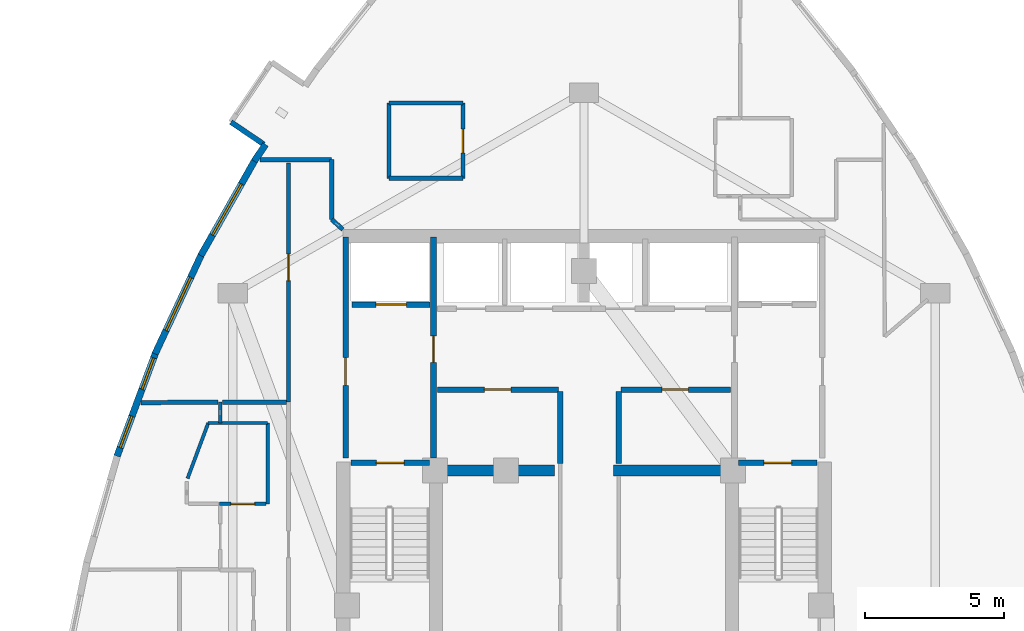
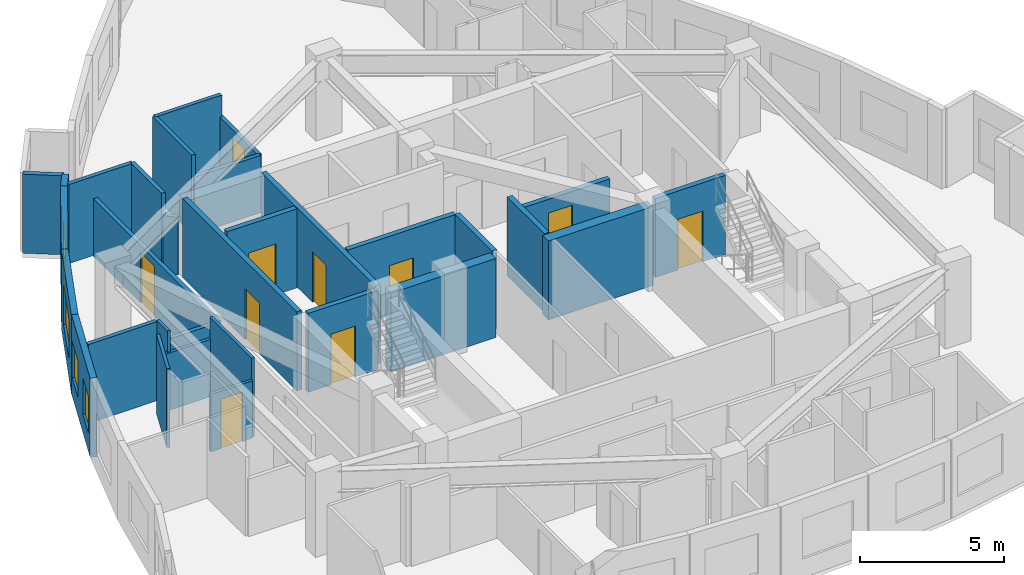
# One storey, part 9 of 13: 31 walls, 10 doors, 4 windows, 14 openings.
"""IFC4 building model written with IfcOpenShell, lengths in metres."""

from ifc_helpers import new_model, si_unit, direction, frame, frame_2d, origin, place, context, subcontext, project, spatial, rectangle, extrude, material, layer, layer_set, type_object, element, fill, save


model = new_model("IFC4")

# Units and contexts
model_context = context("Model", 3, precision=1e-05, world=origin(), true_north=direction((0.0, 1.0)))
body_context = subcontext(model_context, "Body", "Model", "MODEL_VIEW")
ifc_project = project(units=[si_unit("LENGTHUNIT", "METRE"), si_unit("AREAUNIT", "SQUARE_METRE"), si_unit("VOLUMEUNIT", "CUBIC_METRE"), si_unit("PLANEANGLEUNIT", "RADIAN"), si_unit("MASSUNIT", "GRAM", prefix="KILO")], contexts=[model_context])

# Site, building, storey
site_placement = place(None, origin())
site = spatial("IfcSite", under=ifc_project, at=site_placement, CompositionType="ELEMENT")
building_placement = place(site_placement, origin())
building = spatial("IfcBuilding", under=site, at=building_placement, Name="Miruveldt Soraemaru", CompositionType="ELEMENT")
storey_placement = place(building_placement, frame((0.0, 0.0, 201.60009765625)))
storey = spatial("IfcBuildingStorey", under=building, at=storey_placement, Name="L55", CompositionType="ELEMENT", Elevation=201.60009765625)

# Walls
ifc_material_1 = material(Name="White powder-coated aluminium EN AW-6060 T6", Category="aluminium")
ifc_layer_1 = layer(ifc_material_1, 0.18994140625, Name="White powder-coated aluminium EN AW-6060 T6", Category="aluminium")
ifc_layer_set_1 = layer_set([ifc_layer_1], Name="White powder-coated aluminium EN AW-6060 T6")
wall_type_1 = type_object("IfcWallType", Name="WALL-BAY-ALU190", PredefinedType="SOLIDWALL", material=ifc_layer_set_1)
wall_1_placement = place(storey_placement, frame((31.33349609375, 56.547119140625, 0.0), z_axis=(0.0, 0.0, 1.0), x_axis=(0.827862228344, -0.560931485016, 0.0)))
element("IfcWall", 1, at=wall_1_placement, inside=storey, type_object=wall_type_1, Name="L55 Bay Window Side Cheek 1R", PredefinedType="SOLIDWALL", context=body_context, shape_type="SweptSolid", body=[
    extrude(rectangle(XDim=1.425048828125, YDim=0.18994140625, at=frame_2d((0.71240234375, 0.0))), origin(), (0.0, 0.0, 1.0), 3.344970703125),
])
ifc_material_2 = material(Name="Concrete C70/85 (70 MPa)", Category="concrete")
ifc_layer_2 = layer(ifc_material_2, 0.5, Name="Concrete C70/85 (70 MPa)", Category="concrete")
ifc_layer_set_2 = layer_set([ifc_layer_2], Name="Concrete C70/85 (70 MPa)")
wall_type_2 = type_object("IfcWallType", Name="WALL-BW-500", PredefinedType="SHEAR", material=ifc_layer_set_2)
for number, where, z_axis, x_axis, name in (
    (2, (38.75, 44.050048828125, 0.0), (0.0, 0.0, 1.0), (1.0, 0.0, 0.0), "L55 Core Buttress Shear Wall BW"),
    (3, (45.050048828125, 44.050048828125, 0.0), (0.0, 0.0, 1.0), (1.0, 0.0, 0.0), "L55 Core Buttress Shear Wall BE"),
):
    element("IfcWall", number, at=place(storey_placement, frame(where, z_axis=z_axis, x_axis=x_axis)), inside=storey, type_object=wall_type_2, Name=name, PredefinedType="SHEAR", context=body_context, shape_type="SweptSolid", body=[
        extrude(rectangle(XDim=4.199951171875, YDim=0.39990234375, at=frame_2d((2.10009765625, 0.0))), origin(), (0.0, 0.0, 1.0), 3.344970703125),
    ])
ifc_material_3 = material(Name="Precast concrete C45/55 (45 MPa)", Category="concrete")
ifc_layer_3 = layer(ifc_material_3, 0.239990234375, Name="Precast concrete C45/55 (45 MPa)", Category="concrete")
ifc_layer_set_3 = layer_set([ifc_layer_3], Name="Precast concrete C45/55 (45 MPa)")
wall_type_3 = type_object("IfcWallType", Name="WALL-EXT-PC240", PredefinedType="SOLIDWALL", material=ifc_layer_set_3)
wall_2_placement = place(storey_placement, frame((32.575439453125, 55.74169921875, 0.0), z_axis=(0.0, 0.0, 1.0), x_axis=(-0.560765978718, -0.827974345685, 0.0)))
element("IfcWall", 4, at=wall_2_placement, inside=storey, type_object=wall_type_3, Name="L55 Precast Pier Wall 9B", PredefinedType="SOLIDWALL", context=body_context, shape_type="SweptSolid", body=[
    extrude(rectangle(XDim=0.72265625, YDim=0.239990234375, at=frame_2d((0.361328125, 0.0))), origin(), (0.0, 0.0, 1.0), 3.344970703125),
])

# Wall, opening, window
wall_3_placement = place(storey_placement, frame((32.20703125, 55.20263671875, 0.0), z_axis=(0.0, 0.0, 1.0), x_axis=(-0.493374910117, -0.869816761202, 0.0)))
wall_3 = element("IfcWall", 5, at=wall_3_placement, inside=storey, type_object=wall_type_3, Name="L55 Precast Concrete Facade Wall 10", PredefinedType="SOLIDWALL", context=body_context, shape_type="SweptSolid", body=[
    extrude(rectangle(XDim=3.960693359375, YDim=0.239990234375, at=frame_2d((1.98046875, 0.0))), origin(), (0.0, 0.0, 1.0), 3.344970703125),
])
opening_1_placement = place(wall_3_placement, frame((1.010986328125, 0.0, 0.800048828125)))
opening_1 = element("IfcOpeningElement", 6, at=opening_1_placement, cuts=wall_3, Name="Opening WN-1", PredefinedType="OPENING", context=body_context, shape_type="SweptSolid", body=[
    extrude(rectangle(XDim=2.10009765625, YDim=1.699951171875, at=frame_2d((1.050048828125, 0.85009765625))), frame((0.0, 0.1298828125, 0.0), z_axis=(0.0, -1.0, 0.0), x_axis=(1.0, 0.0, 0.0)), (0.0, 0.0, 1.0), 0.260009765625),
])
ifc_material_4 = material(Name="Triple low-e insulated glazing", Category="glass")
window_type_1 = type_object("IfcWindowType", Name="WIN-PUNCH-2100x1700", PartitioningType="SINGLE_PANEL", PredefinedType="WINDOW", material=ifc_material_4)
window_1_placement = place(opening_1_placement, origin())
window_1 = element("IfcWindow", 7, at=window_1_placement, inside=storey, type_object=window_type_1, Name="L55 Punched Triple-Glazed Window 10.1", OverallHeight=1.699951171875, OverallWidth=2.10009765625, PartitioningType="SINGLE_PANEL", PredefinedType="WINDOW", context=body_context, shape_type="SweptSolid", body=[
    extrude(rectangle(XDim=2.10009765625, YDim=1.699951171875, at=frame_2d((1.050048828125, 0.85009765625))), frame((0.0, 0.030029296875, 0.0), z_axis=(0.0, -1.0, 0.0), x_axis=(1.0, 0.0, 0.0)), (0.0, 0.0, 1.0), 0.06005859375),
])
fill(opening_1, window_1)

wall_4_placement = place(storey_placement, frame((30.28515625, 51.819580078125, 0.0), z_axis=(0.0, 0.0, 1.0), x_axis=(-0.422311701836, -0.906450675157, 0.0)))
wall_4 = element("IfcWall", 8, at=wall_4_placement, inside=storey, type_object=wall_type_3, Name="L55 Precast Concrete Facade Wall 11", PredefinedType="SOLIDWALL", context=body_context, shape_type="SweptSolid", body=[
    extrude(rectangle(XDim=3.960693359375, YDim=0.239990234375, at=frame_2d((1.98046875, 0.0))), origin(), (0.0, 0.0, 1.0), 3.344970703125),
])
opening_2_placement = place(wall_4_placement, frame((0.930908203125, 0.0, 0.800048828125)))
opening_2 = element("IfcOpeningElement", 9, at=opening_2_placement, cuts=wall_4, Name="Opening WN-1", PredefinedType="OPENING", context=body_context, shape_type="SweptSolid", body=[
    extrude(rectangle(XDim=2.10009765625, YDim=1.699951171875, at=frame_2d((1.050048828125, 0.85009765625))), frame((0.0, 0.1298828125, 0.0), z_axis=(0.0, -1.0, 0.0), x_axis=(1.0, 0.0, 0.0)), (0.0, 0.0, 1.0), 0.260009765625),
])
window_2_placement = place(opening_2_placement, origin())
window_2 = element("IfcWindow", 10, at=window_2_placement, inside=storey, type_object=window_type_1, Name="L55 Punched Triple-Glazed Window 11.1", OverallHeight=1.699951171875, OverallWidth=2.10009765625, PartitioningType="SINGLE_PANEL", PredefinedType="WINDOW", context=body_context, shape_type="SweptSolid", body=[
    extrude(rectangle(XDim=2.10009765625, YDim=1.699951171875, at=frame_2d((1.050048828125, 0.85009765625))), frame((0.0, 0.030029296875, 0.0), z_axis=(0.0, -1.0, 0.0), x_axis=(1.0, 0.0, 0.0)), (0.0, 0.0, 1.0), 0.06005859375),
])
fill(opening_2, window_2)

# Wall, openings, windows
wall_5_placement = place(storey_placement, frame((28.639404296875, 48.294189453125, 0.0), z_axis=(0.0, 0.0, 1.0), x_axis=(-0.348967690972, -0.937134755869, 0.0)))
wall_5 = element("IfcWall", 11, at=wall_5_placement, inside=storey, type_object=wall_type_3, Name="L55 Precast Concrete Facade Wall 12", PredefinedType="SOLIDWALL", context=body_context, shape_type="SweptSolid", body=[
    extrude(rectangle(XDim=3.985595703125, YDim=0.239990234375, at=frame_2d((1.99267578125, 0.0))), origin(), (0.0, 0.0, 1.0), 3.344970703125),
])
opening_3_placement = place(wall_5_placement, frame((0.222900390625, 0.0, 0.780029296875)))
opening_3 = element("IfcOpeningElement", 12, at=opening_3_placement, cuts=wall_5, Name="Opening WN-4", PredefinedType="OPENING", context=body_context, shape_type="SweptSolid", body=[
    extrude(rectangle(XDim=1.199951171875, YDim=1.550048828125, at=frame_2d((0.60009765625, 0.77490234375))), frame((0.0, 0.1298828125, 0.0), z_axis=(0.0, -1.0, 0.0), x_axis=(1.0, 0.0, 0.0)), (0.0, 0.0, 1.0), 0.260009765625),
])
opening_4_placement = place(wall_5_placement, frame((2.4560546875, 0.0, 0.780029296875)))
opening_4 = element("IfcOpeningElement", 13, at=opening_4_placement, cuts=wall_5, Name="Opening WN-4", PredefinedType="OPENING", context=body_context, shape_type="SweptSolid", body=[
    extrude(rectangle(XDim=1.199951171875, YDim=1.550048828125, at=frame_2d((0.60009765625, 0.77490234375))), frame((0.0, 0.1298828125, 0.0), z_axis=(0.0, -1.0, 0.0), x_axis=(1.0, 0.0, 0.0)), (0.0, 0.0, 1.0), 0.260009765625),
])
window_type_2 = type_object("IfcWindowType", Name="WIN-PUNCH-1200x1550", PartitioningType="SINGLE_PANEL", PredefinedType="WINDOW", material=ifc_material_4)
window_3_placement = place(opening_3_placement, origin())
window_3 = element("IfcWindow", 14, at=window_3_placement, inside=storey, type_object=window_type_2, Name="L55 Punched Triple-Glazed Window 12.1", OverallHeight=1.550048828125, OverallWidth=1.199951171875, PartitioningType="SINGLE_PANEL", PredefinedType="WINDOW", context=body_context, shape_type="SweptSolid", body=[
    extrude(rectangle(XDim=1.199951171875, YDim=1.550048828125, at=frame_2d((0.60009765625, 0.77490234375))), frame((0.0, 0.030029296875, 0.0), z_axis=(0.0, -1.0, 0.0), x_axis=(1.0, 0.0, 0.0)), (0.0, 0.0, 1.0), 0.06005859375),
])
fill(opening_3, window_3)
window_4_placement = place(opening_4_placement, origin())
window_4 = element("IfcWindow", 15, at=window_4_placement, inside=storey, type_object=window_type_2, Name="L55 Punched Triple-Glazed Window 12.2", OverallHeight=1.550048828125, OverallWidth=1.199951171875, PartitioningType="SINGLE_PANEL", PredefinedType="WINDOW", context=body_context, shape_type="SweptSolid", body=[
    extrude(rectangle(XDim=1.199951171875, YDim=1.550048828125, at=frame_2d((0.60009765625, 0.77490234375))), frame((0.0, 0.030029296875, 0.0), z_axis=(0.0, -1.0, 0.0), x_axis=(1.0, 0.0, 0.0)), (0.0, 0.0, 1.0), 0.06005859375),
])
fill(opening_4, window_4)

# Wall, opening, door
ifc_material_5 = material(Name="Gypsum plasterboard lining", Category="gypsum")
ifc_layer_4 = layer(ifc_material_5, 0.1201171875, Name="Gypsum plasterboard lining", Category="gypsum")
ifc_layer_set_4 = layer_set([ifc_layer_4], Name="Gypsum plasterboard lining")
wall_type_4 = type_object("IfcWallType", Name="WALL-INT-P120", PredefinedType="PARTITIONING", material=ifc_layer_set_4)
wall_6_placement = place(storey_placement, frame((32.590087890625, 42.85009765625, 0.0), z_axis=(0.0, 0.0, 1.0), x_axis=(-1.0, 0.0, 0.0)))
wall_6 = element("IfcWall", 16, at=wall_6_placement, inside=storey, type_object=wall_type_4, Name="L55 Partition Wall 36", PredefinedType="PARTITIONING", context=body_context, shape_type="SweptSolid", body=[
    extrude(rectangle(XDim=1.670166015625, YDim=0.1201171875, at=frame_2d((0.8349609375, 0.0))), origin(), (0.0, 0.0, 1.0), 2.432861328125),
])
opening_5_placement = place(wall_6_placement, frame((0.405029296875, 0.0, 0.0)))
opening_5 = element("IfcOpeningElement", 17, at=opening_5_placement, cuts=wall_6, Name="Opening FD3", PredefinedType="OPENING", context=body_context, shape_type="SweptSolid", body=[
    extrude(rectangle(XDim=0.85009765625, YDim=2.10009765625, at=frame_2d((0.425048828125, 1.050048828125))), frame((0.0, 0.070068359375, 0.0), z_axis=(0.0, -1.0, 0.0), x_axis=(1.0, 0.0, 0.0)), (0.0, 0.0, 1.0), 0.14013671875),
])
ifc_material_6 = material(Name="Anodised aluminium EN AW-6063 T6", Category="aluminium")
door_type_1 = type_object("IfcDoorType", Name="DOOR-FD3-850", OperationType="NOTDEFINED", PredefinedType="DOOR", material=ifc_material_6)
door_1_placement = place(opening_5_placement, origin())
door_1 = element("IfcDoor", 18, at=door_1_placement, inside=storey, type_object=door_type_1, Name="L55 Unit 5503 KIT Door", OperationType="SINGLE_SWING_RIGHT", OverallHeight=2.10009765625, OverallWidth=0.85009765625, PredefinedType="DOOR", context=body_context, shape_type="SweptSolid", body=[
    extrude(rectangle(XDim=0.85009765625, YDim=2.10009765625, at=frame_2d((0.425048828125, 1.050048828125))), frame((0.0, 0.02490234375, 0.0), z_axis=(0.0, -1.0, 0.0), x_axis=(1.0, 0.0, 0.0)), (0.0, 0.0, 1.0), 0.050048828125),
])
fill(opening_5, door_1)

# Walls
wall_7_placement = place(storey_placement, frame((32.64990234375, 45.75, 0.0), z_axis=(0.0, 0.0, 1.0), x_axis=(0.0, -1.0, 0.0)))
element("IfcWall", 19, at=wall_7_placement, inside=storey, type_object=wall_type_4, Name="L55 Partition Wall 37", PredefinedType="PARTITIONING", context=body_context, shape_type="SweptSolid", body=[
    extrude(rectangle(XDim=2.89990234375, YDim=0.1201171875, at=frame_2d((1.449951171875, 0.0))), origin(), (0.0, 0.0, 1.0), 3.344970703125),
])
wall_8_placement = place(storey_placement, frame((30.52001953125, 45.75, 0.0), z_axis=(0.0, 0.0, 1.0), x_axis=(1.0, 0.0, 0.0)))
element("IfcWall", 20, at=wall_8_placement, inside=storey, type_object=wall_type_4, Name="L55 Partition Wall 62", PredefinedType="PARTITIONING", context=body_context, shape_type="SweptSolid", body=[
    extrude(rectangle(XDim=2.1298828125, YDim=0.1201171875, at=frame_2d((1.06494140625, 0.0))), origin(), (0.0, 0.0, 1.0), 2.432861328125),
])
wall_9_placement = place(storey_placement, frame((30.52001953125, 45.75, 0.0), z_axis=(0.0, 0.0, 1.0), x_axis=(-0.3491407566, -0.937070291964, 0.0)))
element("IfcWall", 21, at=wall_9_placement, inside=storey, type_object=wall_type_4, Name="L55 Partition Wall 40", PredefinedType="PARTITIONING", context=body_context, shape_type="SweptSolid", body=[
    extrude(rectangle(XDim=2.119384765625, YDim=0.1201171875, at=frame_2d((1.0595703125, 0.0))), origin(), (0.0, 0.0, 1.0), 3.344970703125),
])
wall_10_placement = place(storey_placement, frame((30.949951171875, 46.5, 0.0), z_axis=(0.0, 0.0, 1.0), x_axis=(0.0, -1.0, 0.0)))
element("IfcWall", 22, at=wall_10_placement, inside=storey, type_object=wall_type_4, Name="L55 Partition Wall 38", PredefinedType="PARTITIONING", context=body_context, shape_type="SweptSolid", body=[
    extrude(rectangle(XDim=0.75, YDim=0.1201171875, at=frame_2d((0.375, 0.0))), origin(), (0.0, 0.0, 1.0), 3.344970703125),
])

# Wall, opening, door
ifc_layer_5 = layer(ifc_material_5, 0.14990234375, Name="Gypsum plasterboard lining", Category="gypsum")
ifc_layer_set_5 = layer_set([ifc_layer_5], Name="Gypsum plasterboard lining")
wall_type_5 = type_object("IfcWallType", Name="WALL-INT-PLUMB", PredefinedType="PLUMBINGWALL", material=ifc_layer_set_5)
wall_11_placement = place(storey_placement, frame((39.656982421875, 54.530029296875, 0.0), z_axis=(0.0, 0.0, 1.0), x_axis=(0.0, 1.0, 0.0)))
wall_11 = element("IfcWall", 23, at=wall_11_placement, inside=storey, type_object=wall_type_5, Name="L55 Partition Wall 12", PredefinedType="PLUMBINGWALL", context=body_context, shape_type="SweptSolid", body=[
    extrude(rectangle(XDim=2.699951171875, YDim=0.14990234375, at=frame_2d((1.35009765625, 0.0))), origin(), (0.0, 0.0, 1.0), 2.432861328125),
])
opening_6_placement = place(wall_11_placement, frame((0.909912109375, 0.0, 0.0)))
opening_6 = element("IfcOpeningElement", 24, at=opening_6_placement, cuts=wall_11, Name="Opening FD3", PredefinedType="OPENING", context=body_context, shape_type="SweptSolid", body=[
    extrude(rectangle(XDim=0.85009765625, YDim=2.10009765625, at=frame_2d((0.425048828125, 1.050048828125))), frame((0.0, 0.0849609375, 0.0), z_axis=(0.0, -1.0, 0.0), x_axis=(1.0, 0.0, 0.0)), (0.0, 0.0, 1.0), 0.169921875),
])
door_2_placement = place(opening_6_placement, origin())
door_2 = element("IfcDoor", 25, at=door_2_placement, inside=storey, type_object=door_type_1, Name="L55 Unit 5501 BTH Door", OperationType="SINGLE_SWING_RIGHT", OverallHeight=2.10009765625, OverallWidth=0.85009765625, PredefinedType="DOOR", context=body_context, shape_type="SweptSolid", body=[
    extrude(rectangle(XDim=0.85009765625, YDim=2.10009765625, at=frame_2d((0.425048828125, 1.050048828125))), frame((0.0, 0.02490234375, 0.0), z_axis=(0.0, -1.0, 0.0), x_axis=(1.0, 0.0, 0.0)), (0.0, 0.0, 1.0), 0.050048828125),
])
fill(opening_6, door_2)

# Walls
wall_12_placement = place(storey_placement, frame((37.007080078125, 57.22998046875, 0.0), z_axis=(0.0, 0.0, 1.0), x_axis=(0.0, -1.0, 0.0)))
element("IfcWall", 26, at=wall_12_placement, inside=storey, type_object=wall_type_5, Name="L55 Partition Wall 14", PredefinedType="PLUMBINGWALL", context=body_context, shape_type="SweptSolid", body=[
    extrude(rectangle(XDim=2.699951171875, YDim=0.14990234375, at=frame_2d((1.35009765625, 0.0))), origin(), (0.0, 0.0, 1.0), 3.344970703125),
])
wall_13_placement = place(storey_placement, frame((39.656982421875, 57.22998046875, 0.0), z_axis=(0.0, 0.0, 1.0), x_axis=(-1.0, 0.0, 0.0)))
element("IfcWall", 27, at=wall_13_placement, inside=storey, type_object=wall_type_5, Name="L55 Partition Wall 13", PredefinedType="PLUMBINGWALL", context=body_context, shape_type="SweptSolid", body=[
    extrude(rectangle(XDim=2.64990234375, YDim=0.14990234375, at=frame_2d((1.324951171875, 0.0))), origin(), (0.0, 0.0, 1.0), 3.344970703125),
])
wall_14_placement = place(storey_placement, frame((37.007080078125, 54.530029296875, 0.0), z_axis=(0.0, 0.0, 1.0), x_axis=(1.0, 0.0, 0.0)))
element("IfcWall", 28, at=wall_14_placement, inside=storey, type_object=wall_type_5, Name="L55 Partition Wall 15", PredefinedType="PLUMBINGWALL", context=body_context, shape_type="SweptSolid", body=[
    extrude(rectangle(XDim=2.64990234375, YDim=0.14990234375, at=frame_2d((1.324951171875, 0.0))), origin(), (0.0, 0.0, 1.0), 2.432861328125),
])

# Wall, opening, door
ifc_material_7 = material(Name="Concrete C40/50 (40 MPa)", Category="concrete")
ifc_layer_6 = layer(ifc_material_7, 0.159912109375, Name="Concrete C40/50 (40 MPa)", Category="concrete")
ifc_layer_set_6 = layer_set([ifc_layer_6], Name="Concrete C40/50 (40 MPa)")
wall_type_6 = type_object("IfcWallType", Name="WALL-INT-RC160", PredefinedType="SOLIDWALL", material=ifc_layer_set_6)
wall_15_placement = place(storey_placement, frame((33.39990234375, 55.080078125, 0.0), z_axis=(0.0, 0.0, 1.0), x_axis=(0.0, -1.0, 0.0)))
wall_15 = element("IfcWall", 29, at=wall_15_placement, inside=storey, type_object=wall_type_6, Name="L55 Partition Wall 3", PredefinedType="SOLIDWALL", context=body_context, shape_type="SweptSolid", body=[
    extrude(rectangle(XDim=8.5751953125, YDim=0.159912109375, at=frame_2d((4.28759765625, 0.0))), origin(), (0.0, 0.0, 1.0), 2.432861328125),
])
opening_7_placement = place(wall_15_placement, frame((3.27197265625, 0.0, 0.0)))
opening_7 = element("IfcOpeningElement", 30, at=opening_7_placement, cuts=wall_15, Name="Opening FD2", PredefinedType="OPENING", context=body_context, shape_type="SweptSolid", body=[
    extrude(rectangle(XDim=0.949951171875, YDim=2.14990234375, at=frame_2d((0.47509765625, 1.074951171875))), frame((0.0, 0.08984375, 0.0), z_axis=(0.0, -1.0, 0.0), x_axis=(1.0, 0.0, 0.0)), (0.0, 0.0, 1.0), 0.179931640625),
])
door_type_2 = type_object("IfcDoorType", Name="DOOR-FD2-950", OperationType="NOTDEFINED", PredefinedType="DOOR", material=ifc_material_6)
door_3_placement = place(opening_7_placement, origin())
door_3 = element("IfcDoor", 31, at=door_3_placement, inside=storey, type_object=door_type_2, Name="L55 Unit 5501 Entrance Fire Door", OperationType="SINGLE_SWING_LEFT", OverallHeight=2.14990234375, OverallWidth=0.949951171875, PredefinedType="DOOR", context=body_context, shape_type="SweptSolid", body=[
    extrude(rectangle(XDim=0.949951171875, YDim=2.14990234375, at=frame_2d((0.47509765625, 1.074951171875))), frame((0.0, 0.02490234375, 0.0), z_axis=(0.0, -1.0, 0.0), x_axis=(1.0, 0.0, 0.0)), (0.0, 0.0, 1.0), 0.050048828125),
])
fill(opening_7, door_3)

# Walls
wall_16_placement = place(storey_placement, frame((28.10791015625, 46.48095703125, 0.0), z_axis=(0.0, 0.0, 1.0), x_axis=(0.999978611163, 0.006540429311, 0.0)))
element("IfcWall", 32, at=wall_16_placement, inside=storey, type_object=wall_type_6, Name="L55 Partition Wall 22", PredefinedType="SOLIDWALL", context=body_context, shape_type="SweptSolid", body=[
    extrude(rectangle(XDim=2.76220703125, YDim=0.159912109375, at=frame_2d((1.381103515625, 0.0))), origin(), (0.0, 0.0, 1.0), 3.344970703125),
])
wall_17_placement = place(storey_placement, frame((34.949951171875, 55.199951171875, 0.0), z_axis=(0.0, 0.0, 1.0), x_axis=(-1.0, 0.0, 0.0)))
element("IfcWall", 33, at=wall_17_placement, inside=storey, type_object=wall_type_6, Name="L55 Partition Wall 2", PredefinedType="SOLIDWALL", context=body_context, shape_type="SweptSolid", body=[
    extrude(rectangle(XDim=2.577880859375, YDim=0.159912109375, at=frame_2d((1.2890625, 0.0))), origin(), (0.0, 0.0, 1.0), 3.344970703125),
])
wall_18_placement = place(storey_placement, frame((31.030029296875, 46.5, 0.0), z_axis=(0.0, 0.0, 1.0), x_axis=(1.0, 0.0, 0.0)))
element("IfcWall", 34, at=wall_18_placement, inside=storey, type_object=wall_type_6, Name="L55 Partition Wall 21", PredefinedType="SOLIDWALL", context=body_context, shape_type="SweptSolid", body=[
    extrude(rectangle(XDim=2.2900390625, YDim=0.159912109375, at=frame_2d((1.14501953125, 0.0))), origin(), (0.0, 0.0, 1.0), 2.432861328125),
])
wall_19_placement = place(storey_placement, frame((34.949951171875, 53.054931640625, 0.0), z_axis=(0.0, 0.0, 1.0), x_axis=(0.0, 1.0, 0.0)))
element("IfcWall", 35, at=wall_19_placement, inside=storey, type_object=wall_type_6, Name="L55 Partition Wall 1", PredefinedType="SOLIDWALL", context=body_context, shape_type="SweptSolid", body=[
    extrude(rectangle(XDim=2.14501953125, YDim=0.159912109375, at=frame_2d((1.072509765625, 0.0))), origin(), (0.0, 0.0, 1.0), 3.344970703125),
])
wall_20_placement = place(storey_placement, frame((34.949951171875, 53.054931640625, 0.0), z_axis=(0.0, 0.0, 1.0), x_axis=(0.738817210736, -0.673905875565, 0.0)))
element("IfcWall", 36, at=wall_20_placement, inside=storey, type_object=wall_type_6, Name="L55 Partition Closure Return 1", PredefinedType="SOLIDWALL", context=body_context, shape_type="SweptSolid", body=[
    extrude(rectangle(XDim=0.54150390625, YDim=0.159912109375, at=frame_2d((0.270751953125, 0.0))), origin(), (0.0, 0.0, 1.0), 2.432861328125),
])

# Wall, opening, door
ifc_layer_7 = layer(ifc_material_7, 0.199951171875, Name="Concrete C40/50 (40 MPa)", Category="concrete")
ifc_layer_set_7 = layer_set([ifc_layer_7], Name="Concrete C40/50 (40 MPa)")
wall_type_7 = type_object("IfcWallType", Name="WALL-INT-RC200", PredefinedType="SOLIDWALL", material=ifc_layer_set_7)
wall_21_placement = place(storey_placement, frame((35.449951171875, 44.5, 0.0), z_axis=(0.0, 0.0, 1.0), x_axis=(0.0, 1.0, 0.0)))
wall_21 = element("IfcWall", 37, at=wall_21_placement, inside=storey, type_object=wall_type_7, Name="L55 Core Compartment Wall FFW-OUT", PredefinedType="SOLIDWALL", context=body_context, shape_type="SweptSolid", body=[
    extrude(rectangle(XDim=7.919921875, YDim=0.199951171875, at=frame_2d((3.9599609375, 0.0))), origin(), (0.0, 0.0, 1.0), 3.344970703125),
])
opening_8_placement = place(wall_21_placement, frame((2.60009765625, 0.0, 0.0)))
opening_8 = element("IfcOpeningElement", 38, at=opening_8_placement, cuts=wall_21, Name="Opening FD1", PredefinedType="OPENING", context=body_context, shape_type="SweptSolid", body=[
    extrude(rectangle(XDim=1.0, YDim=2.14990234375, at=frame_2d((0.5, 1.074951171875))), frame((0.0, 0.10986328125, 0.0), z_axis=(0.0, -1.0, 0.0), x_axis=(1.0, 0.0, 0.0)), (0.0, 0.0, 1.0), 0.219970703125),
])
door_type_3 = type_object("IfcDoorType", Name="DOOR-FD1-1000", OperationType="NOTDEFINED", PredefinedType="DOOR", material=ifc_material_6)
door_4_placement = place(opening_8_placement, origin())
door_4 = element("IfcDoor", 39, at=door_4_placement, inside=storey, type_object=door_type_3, Name="L55 West Firefighting Lobby Exit Door", OperationType="SINGLE_SWING_LEFT", OverallHeight=2.14990234375, OverallWidth=1.0, PredefinedType="DOOR", context=body_context, shape_type="SweptSolid", body=[
    extrude(rectangle(XDim=1.0, YDim=2.14990234375, at=frame_2d((0.5, 1.074951171875))), frame((0.0, 0.02490234375, 0.0), z_axis=(0.0, -1.0, 0.0), x_axis=(1.0, 0.0, 0.0)), (0.0, 0.0, 1.0), 0.050048828125),
])
fill(opening_8, door_4)

wall_22_placement = place(storey_placement, frame((38.60009765625, 44.5, 0.0), z_axis=(0.0, 0.0, 1.0), x_axis=(0.0, 1.0, 0.0)))
wall_22 = element("IfcWall", 40, at=wall_22_placement, inside=storey, type_object=wall_type_7, Name="L55 Core Compartment Wall FFW-IN", PredefinedType="SOLIDWALL", context=body_context, shape_type="SweptSolid", body=[
    extrude(rectangle(XDim=7.919921875, YDim=0.199951171875, at=frame_2d((3.9599609375, 0.0))), origin(), (0.0, 0.0, 1.0), 3.344970703125),
])
opening_9_placement = place(wall_22_placement, frame((3.425048828125, 0.0, 0.0)))
opening_9 = element("IfcOpeningElement", 41, at=opening_9_placement, cuts=wall_22, Name="Opening FD2", PredefinedType="OPENING", context=body_context, shape_type="SweptSolid", body=[
    extrude(rectangle(XDim=0.949951171875, YDim=2.14990234375, at=frame_2d((0.47509765625, 1.074951171875))), frame((0.0, 0.10986328125, 0.0), z_axis=(0.0, -1.0, 0.0), x_axis=(1.0, 0.0, 0.0)), (0.0, 0.0, 1.0), 0.219970703125),
])
door_5_placement = place(opening_9_placement, frame((0.949951171875, 0.0, 0.0), z_axis=(0.0, 0.0, 1.0), x_axis=(-1.0, 0.0, 0.0)))
door_5 = element("IfcDoor", 42, at=door_5_placement, inside=storey, type_object=door_type_2, Name="L55 Lift Lobby to West Fire Lobby Door", OperationType="SINGLE_SWING_RIGHT", OverallHeight=2.14990234375, OverallWidth=0.949951171875, PredefinedType="DOOR", context=body_context, shape_type="SweptSolid", body=[
    extrude(rectangle(XDim=0.949951171875, YDim=2.14990234375, at=frame_2d((0.47509765625, 1.074951171875))), frame((0.0, 0.02490234375, 0.0), z_axis=(0.0, -1.0, 0.0), x_axis=(1.0, 0.0, 0.0)), (0.0, 0.0, 1.0), 0.050048828125),
])
fill(opening_9, door_5)

wall_23_placement = place(storey_placement, frame((38.75, 46.949951171875, 0.0), z_axis=(0.0, 0.0, 1.0), x_axis=(1.0, 0.0, 0.0)))
wall_23 = element("IfcWall", 43, at=wall_23_placement, inside=storey, type_object=wall_type_7, Name="L55 Core Compartment Wall MBW-N", PredefinedType="SOLIDWALL", context=body_context, shape_type="SweptSolid", body=[
    extrude(rectangle(XDim=4.330078125, YDim=0.199951171875, at=frame_2d((2.1650390625, 0.0))), origin(), (0.0, 0.0, 1.0), 3.344970703125),
])
opening_10_placement = place(wall_23_placement, frame((1.675048828125, 0.0, 0.0)))
opening_10 = element("IfcOpeningElement", 44, at=opening_10_placement, cuts=wall_23, Name="Opening D2", PredefinedType="OPENING", context=body_context, shape_type="SweptSolid", body=[
    extrude(rectangle(XDim=0.949951171875, YDim=2.10009765625, at=frame_2d((0.47509765625, 1.050048828125))), frame((0.0, 0.10986328125, 0.0), z_axis=(0.0, -1.0, 0.0), x_axis=(1.0, 0.0, 0.0)), (0.0, 0.0, 1.0), 0.219970703125),
])
door_type_4 = type_object("IfcDoorType", Name="DOOR-INT-950", OperationType="NOTDEFINED", PredefinedType="DOOR", material=ifc_material_6)
door_6_placement = place(opening_10_placement, origin())
door_6 = element("IfcDoor", 45, at=door_6_placement, inside=storey, type_object=door_type_4, Name="L55 Fire Door", OperationType="SINGLE_SWING_LEFT", OverallHeight=2.10009765625, OverallWidth=0.949951171875, PredefinedType="DOOR", context=body_context, shape_type="SweptSolid", body=[
    extrude(rectangle(XDim=0.949951171875, YDim=2.10009765625, at=frame_2d((0.47509765625, 1.050048828125))), frame((0.0, 0.02490234375, 0.0), z_axis=(0.0, -1.0, 0.0), x_axis=(1.0, 0.0, 0.0)), (0.0, 0.0, 1.0), 0.050048828125),
])
fill(opening_10, door_6)

wall_24_placement = place(storey_placement, frame((45.320068359375, 46.949951171875, 0.0), z_axis=(0.0, 0.0, 1.0), x_axis=(1.0, 0.0, 0.0)))
wall_24 = element("IfcWall", 46, at=wall_24_placement, inside=storey, type_object=wall_type_7, Name="L55 Core Compartment Wall MBE-N", PredefinedType="SOLIDWALL", context=body_context, shape_type="SweptSolid", body=[
    extrude(rectangle(XDim=3.929931640625, YDim=0.199951171875, at=frame_2d((1.96484375, 0.0))), origin(), (0.0, 0.0, 1.0), 2.682861328125),
])
opening_11_placement = place(wall_24_placement, frame((1.47509765625, 0.0, 0.0)))
opening_11 = element("IfcOpeningElement", 47, at=opening_11_placement, cuts=wall_24, Name="Opening D2", PredefinedType="OPENING", context=body_context, shape_type="SweptSolid", body=[
    extrude(rectangle(XDim=0.949951171875, YDim=2.10009765625, at=frame_2d((0.47509765625, 1.050048828125))), frame((0.0, 0.10986328125, 0.0), z_axis=(0.0, -1.0, 0.0), x_axis=(1.0, 0.0, 0.0)), (0.0, 0.0, 1.0), 0.219970703125),
])
door_7_placement = place(opening_11_placement, origin())
door_7 = element("IfcDoor", 48, at=door_7_placement, inside=storey, type_object=door_type_4, Name="L55 Fire Door", OperationType="SINGLE_SWING_LEFT", OverallHeight=2.10009765625, OverallWidth=0.949951171875, PredefinedType="DOOR", context=body_context, shape_type="SweptSolid", body=[
    extrude(rectangle(XDim=0.949951171875, YDim=2.10009765625, at=frame_2d((0.47509765625, 1.050048828125))), frame((0.0, 0.02490234375, 0.0), z_axis=(0.0, -1.0, 0.0), x_axis=(1.0, 0.0, 0.0)), (0.0, 0.0, 1.0), 0.050048828125),
])
fill(opening_11, door_7)

wall_25_placement = place(storey_placement, frame((35.64990234375, 44.320068359375, 0.0), z_axis=(0.0, 0.0, 1.0), x_axis=(1.0, 0.0, 0.0)))
wall_25 = element("IfcWall", 49, at=wall_25_placement, inside=storey, type_object=wall_type_7, Name="L55 Core Compartment Wall ST1-N", PredefinedType="SOLIDWALL", context=body_context, shape_type="SweptSolid", body=[
    extrude(rectangle(XDim=2.800048828125, YDim=0.199951171875, at=frame_2d((1.39990234375, 0.0))), origin(), (0.0, 0.0, 1.0), 3.344970703125),
])
opening_12_placement = place(wall_25_placement, frame((0.89990234375, 0.0, 0.0)))
opening_12 = element("IfcOpeningElement", 50, at=opening_12_placement, cuts=wall_25, Name="Opening FD1", PredefinedType="OPENING", context=body_context, shape_type="SweptSolid", body=[
    extrude(rectangle(XDim=1.0, YDim=2.14990234375, at=frame_2d((0.5, 1.074951171875))), frame((0.0, 0.10986328125, 0.0), z_axis=(0.0, -1.0, 0.0), x_axis=(1.0, 0.0, 0.0)), (0.0, 0.0, 1.0), 0.219970703125),
])
door_8_placement = place(opening_12_placement, frame((1.0, 0.0, 0.0), z_axis=(0.0, 0.0, 1.0), x_axis=(-1.0, 0.0, 0.0)))
door_8 = element("IfcDoor", 51, at=door_8_placement, inside=storey, type_object=door_type_3, Name="L55 Stair ST-1 Fire Door", OperationType="SINGLE_SWING_LEFT", OverallHeight=2.14990234375, OverallWidth=1.0, PredefinedType="DOOR", context=body_context, shape_type="SweptSolid", body=[
    extrude(rectangle(XDim=1.0, YDim=2.14990234375, at=frame_2d((0.5, 1.074951171875))), frame((0.0, 0.02490234375, 0.0), z_axis=(0.0, -1.0, 0.0), x_axis=(1.0, 0.0, 0.0)), (0.0, 0.0, 1.0), 0.050048828125),
])
fill(opening_12, door_8)

wall_26_placement = place(storey_placement, frame((49.550048828125, 44.320068359375, 0.0), z_axis=(0.0, 0.0, 1.0), x_axis=(1.0, 0.0, 0.0)))
wall_26 = element("IfcWall", 52, at=wall_26_placement, inside=storey, type_object=wall_type_7, Name="L55 Core Compartment Wall ST2-N", PredefinedType="SOLIDWALL", context=body_context, shape_type="SweptSolid", body=[
    extrude(rectangle(XDim=2.800048828125, YDim=0.199951171875, at=frame_2d((1.39990234375, 0.0))), origin(), (0.0, 0.0, 1.0), 3.344970703125),
])
opening_13_placement = place(wall_26_placement, frame((0.89990234375, 0.0, 0.0)))
opening_13 = element("IfcOpeningElement", 53, at=opening_13_placement, cuts=wall_26, Name="Opening FD1", PredefinedType="OPENING", context=body_context, shape_type="SweptSolid", body=[
    extrude(rectangle(XDim=1.0, YDim=2.14990234375, at=frame_2d((0.5, 1.074951171875))), frame((0.0, 0.10986328125, 0.0), z_axis=(0.0, -1.0, 0.0), x_axis=(1.0, 0.0, 0.0)), (0.0, 0.0, 1.0), 0.219970703125),
])
door_9_placement = place(opening_13_placement, frame((1.0, 0.0, 0.0), z_axis=(0.0, 0.0, 1.0), x_axis=(-1.0, 0.0, 0.0)))
door_9 = element("IfcDoor", 54, at=door_9_placement, inside=storey, type_object=door_type_3, Name="L55 Stair ST-2 Fire Door", OperationType="SINGLE_SWING_RIGHT", OverallHeight=2.14990234375, OverallWidth=1.0, PredefinedType="DOOR", context=body_context, shape_type="SweptSolid", body=[
    extrude(rectangle(XDim=1.0, YDim=2.14990234375, at=frame_2d((0.5, 1.074951171875))), frame((0.0, 0.02490234375, 0.0), z_axis=(0.0, -1.0, 0.0), x_axis=(1.0, 0.0, 0.0)), (0.0, 0.0, 1.0), 0.050048828125),
])
fill(opening_13, door_9)

wall_27_placement = place(storey_placement, frame((35.679931640625, 50.0, 0.0), z_axis=(0.0, 0.0, 1.0), x_axis=(1.0, 0.0, 0.0)))
wall_27 = element("IfcWall", 55, at=wall_27_placement, inside=storey, type_object=wall_type_7, Name="L55 Core Compartment Wall FFL1-S", PredefinedType="SOLIDWALL", context=body_context, shape_type="SweptSolid", body=[
    extrude(rectangle(XDim=2.800048828125, YDim=0.199951171875, at=frame_2d((1.39990234375, 0.0))), origin(), (0.0, 0.0, 1.0), 3.344970703125),
])
opening_14_placement = place(wall_27_placement, frame((0.85009765625, 0.0, 0.0)))
opening_14 = element("IfcOpeningElement", 56, at=opening_14_placement, cuts=wall_27, Name="Opening LD2", PredefinedType="OPENING", context=body_context, shape_type="SweptSolid", body=[
    extrude(rectangle(XDim=1.10009765625, YDim=2.14990234375, at=frame_2d((0.550048828125, 1.074951171875))), frame((0.0, 0.10986328125, 0.0), z_axis=(0.0, -1.0, 0.0), x_axis=(1.0, 0.0, 0.0)), (0.0, 0.0, 1.0), 0.219970703125),
])
door_type_5 = type_object("IfcDoorType", Name="DOOR-LD2-1100", OperationType="SLIDING_TO_LEFT", PredefinedType="DOOR", material=ifc_material_6)
door_10_placement = place(opening_14_placement, origin())
door_10 = element("IfcDoor", 57, at=door_10_placement, inside=storey, type_object=door_type_5, Name="L55 FFL-1 Landing Door", OperationType="SLIDING_TO_LEFT", OverallHeight=2.14990234375, OverallWidth=1.10009765625, PredefinedType="DOOR", context=body_context, shape_type="SweptSolid", body=[
    extrude(rectangle(XDim=1.10009765625, YDim=2.14990234375, at=frame_2d((0.550048828125, 1.074951171875))), frame((0.0, 0.02490234375, 0.0), z_axis=(0.0, -1.0, 0.0), x_axis=(1.0, 0.0, 0.0)), (0.0, 0.0, 1.0), 0.050048828125),
])
fill(opening_14, door_10)

# Walls
for number, where, z_axis, x_axis, name in (
    (58, (43.14990234375, 44.300048828125, 0.0), (0.0, 0.0, 1.0), (0.0, 1.0, 0.0), "L55 Core Compartment Wall SP-WB"),
    (59, (45.25, 44.300048828125, 0.0), (0.0, 0.0, 1.0), (0.0, 1.0, 0.0), "L55 Core Compartment Wall SP-EB"),
):
    element("IfcWall", number, at=place(storey_placement, frame(where, z_axis=z_axis, x_axis=x_axis)), inside=storey, type_object=wall_type_7, Name=name, PredefinedType="SOLIDWALL", context=body_context, shape_type="SweptSolid", body=[
        extrude(rectangle(XDim=2.579833984375, YDim=0.199951171875, at=frame_2d((1.2900390625, 0.0))), origin(), (0.0, 0.0, 1.0), 3.344970703125),
    ])

save(model, "model.ifc")
